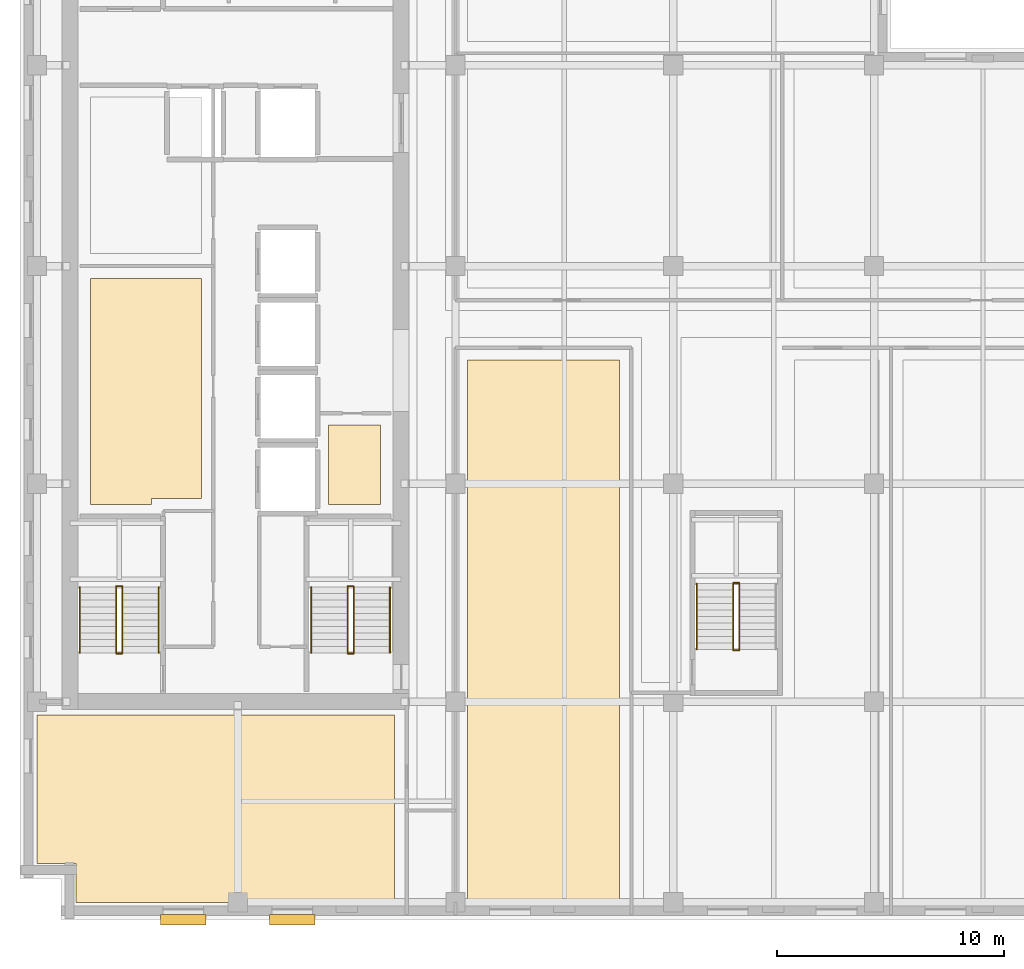
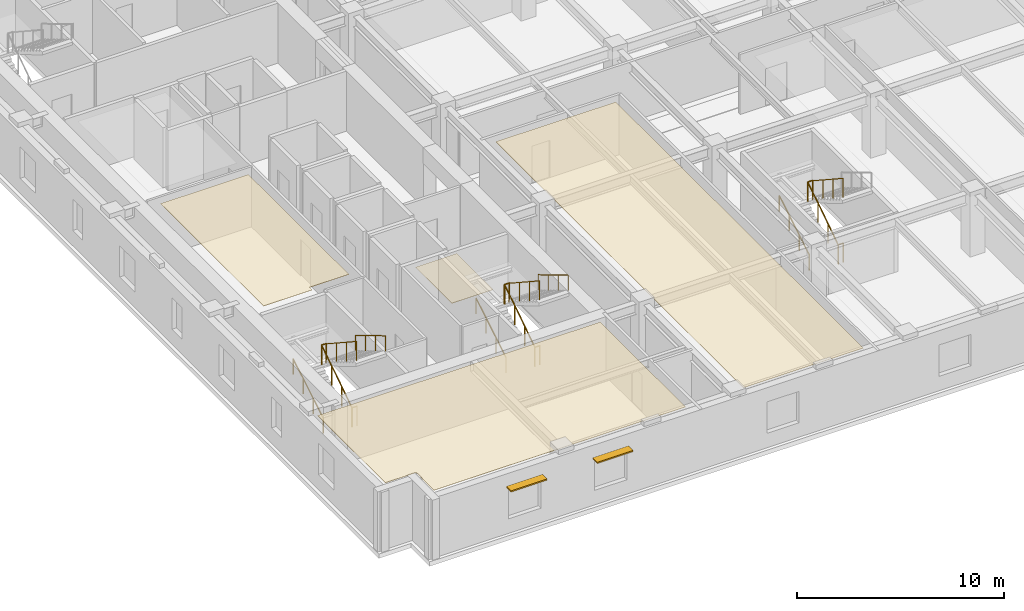
# One storey, part 10 of 14: 17 railings, 4 coverings, 2 shading devices.
"""IFC4 building model written with IfcOpenShell, lengths in metres."""

from ifc_helpers import new_model, si_unit, direction, frame, origin, origin_2d, place, context, subcontext, project, spatial, polyline, rectangle, circle, outline, extrude, material, layer, layer_set, type_object, element, save


model = new_model("IFC4")

# Units and contexts
model_context = context("Model", 3, precision=1e-05, world=origin(), true_north=direction((0.0, 1.0)))
body_context = subcontext(model_context, "Body", "Model", "MODEL_VIEW")
ifc_project = project(units=[si_unit("LENGTHUNIT", "METRE"), si_unit("AREAUNIT", "SQUARE_METRE"), si_unit("VOLUMEUNIT", "CUBIC_METRE"), si_unit("PLANEANGLEUNIT", "RADIAN"), si_unit("MASSUNIT", "GRAM", prefix="KILO")], contexts=[model_context])

# Site, building, storey
site_placement = place(None, origin())
site = spatial("IfcSite", under=ifc_project, at=site_placement, CompositionType="ELEMENT")
building_placement = place(site_placement, origin())
building = spatial("IfcBuilding", under=site, at=building_placement, Name="Norrvale University Quadrangle", CompositionType="ELEMENT")
storey_placement = place(building_placement, frame((0.0, 0.0, 214.199951171875)))
storey = spatial("IfcBuildingStorey", under=building, at=storey_placement, Name="L54", CompositionType="ELEMENT", Elevation=214.199951171875)

# Coverings
ifc_material_1 = material(Name="Perforated Acoustic Mineral Ceiling")
ifc_layer_1 = layer(ifc_material_1, 0.02490234375, Name="Perforated Acoustic Mineral Ceiling")
ifc_layer_set_1 = layer_set([ifc_layer_1], Name="Perforated Acoustic Mineral Ceiling")
covering_type_1 = type_object("IfcCoveringType", Name="Covering Acoustic Ceiling 25", PredefinedType="CEILING", material=ifc_layer_set_1)
covering_1_placement = place(storey_placement, frame((0.0, 0.0, 3.51513671875)))
element("IfcCovering", 1, at=covering_1_placement, inside=storey, type_object=covering_type_1, Name="Acoustic Ceiling RM-L54-REC2", PredefinedType="CEILING", context=body_context, shape_type="SweptSolid", body=[
    extrude(outline(polyline([(3.10009765625, 18.300048828125), (3.10009765625, 28.25), (8.0, 28.25), (8.0, 18.550048828125), (5.800048828125, 18.550048828125), (5.800048828125, 18.300048828125), (3.10009765625, 18.300048828125)])), origin(), (0.0, 0.0, 1.0), 0.02490234375),
])
covering_2_placement = place(storey_placement, frame((0.0, 0.0, 3.51513671875)))
element("IfcCovering", 2, at=covering_2_placement, inside=storey, type_object=covering_type_1, Name="Acoustic Ceiling RM-L54-SW1", PredefinedType="CEILING", context=body_context, shape_type="SweptSolid", body=[
    extrude(outline(polyline([(0.75, 9.0), (16.5, 9.0), (16.5, 0.75), (2.469970703125, 0.75), (2.469970703125, 2.469970703125), (0.75, 2.469970703125), (0.75, 9.0)])), origin(), (0.0, 0.0, 1.0), 0.02490234375),
])
covering_3_placement = place(storey_placement, frame((0.0, 0.0, 3.51513671875)))
element("IfcCovering", 3, at=covering_3_placement, inside=storey, type_object=covering_type_1, Name="Acoustic Ceiling RM-L54-SE1", PredefinedType="CEILING", context=body_context, shape_type="SweptSolid", body=[
    extrude(outline(polyline([(19.72998046875, 24.669921875), (26.419921875, 24.669921875), (26.419921875, 0.75), (19.72998046875, 0.75), (19.72998046875, 24.669921875)])), origin(), (0.0, 0.0, 1.0), 0.02490234375),
])
ifc_material_2 = material(Name="Polished Terrazzo Flooring")
ifc_layer_2 = layer(ifc_material_2, 0.02490234375, Name="Polished Terrazzo Flooring")
ifc_layer_set_2 = layer_set([ifc_layer_2], Name="Polished Terrazzo Flooring")
covering_type_2 = type_object("IfcCoveringType", Name="Covering Terrazzo Floor 30", PredefinedType="FLOORING", material=ifc_layer_set_2)
covering_4_placement = place(storey_placement, origin())
element("IfcCovering", 4, at=covering_4_placement, inside=storey, type_object=covering_type_2, Name="Terrazzo Flooring RM-L54-JAN", PredefinedType="FLOORING", context=body_context, shape_type="SweptSolid", body=[
    extrude(outline(polyline([(13.60009765625, 18.300048828125), (13.60009765625, 21.800048828125), (15.89990234375, 21.800048828125), (15.89990234375, 18.300048828125), (13.60009765625, 18.300048828125)])), origin(), (0.0, 0.0, 1.0), 0.025146484375),
])

# Railings
ifc_material_3 = material(Name="Steel 350W Painted Balustrade", Category="steel")
railing_type_1 = type_object("IfcRailingType", Name="Railing Stair Guard 1100", PredefinedType="GUARDRAIL", material=ifc_material_3)
for number, where, name in (
    (5, (4.239990234375, 11.719970703125, 0.0), "Stair Floor Well Guard ST-01 L54"),
    (6, (4.239990234375, 14.679931640625, 1.900146484375), "Stair Mid-Landing Slot Guard ST-01 L54"),
):
    element("IfcRailing", number, at=place(storey_placement, frame(where)), inside=storey, type_object=railing_type_1, Name=name, PredefinedType="GUARDRAIL", context=body_context, shape_type="SweptSolid", body=[
        extrude(circle(Radius=0.02392578125, at=origin_2d()), frame((0.0, 0.0, 1.1259765625), z_axis=(1.0, 0.0, 0.0), x_axis=(0.0, 1.0, 0.0)), (0.0, 0.0, 1.0), 0.27001953125),
        extrude(circle(Radius=0.02099609375, at=origin_2d()), origin(), (0.0, 0.0, 1.0), 1.101806640625),
        extrude(circle(Radius=0.02099609375, at=origin_2d()), frame((0.27001953125, 0.0, 0.0)), (0.0, 0.0, 1.0), 1.101806640625),
    ])
railing_1_placement = place(storey_placement, frame((4.239990234375, 11.75, 0.0)))
element("IfcRailing", 7, at=railing_1_placement, inside=storey, type_object=railing_type_1, Name="Stair Lower Flight Inner Guard ST-01 L54", PredefinedType="GUARDRAIL", context=body_context, shape_type="SweptSolid", body=[
    extrude(circle(Radius=0.02392578125, at=origin_2d()), frame((0.0, 0.0, 1.1259765625), z_axis=(0.0, 0.836433300813, 0.548068730445), x_axis=(-1.0, 0.0, 0.0)), (0.0, 0.0, 1.0), 3.467041015625),
    extrude(circle(Radius=0.02099609375, at=origin_2d()), origin(), (0.0, 0.0, 1.0), 1.101806640625),
    extrude(circle(Radius=0.02099609375, at=origin_2d()), frame((0.0, 0.966552734375, 0.63330078125)), (0.0, 0.0, 1.0), 1.101806640625),
    extrude(circle(Radius=0.02099609375, at=origin_2d()), frame((0.0, 1.933349609375, 1.266845703125)), (0.0, 0.0, 1.0), 1.101806640625),
    extrude(circle(Radius=0.02099609375, at=origin_2d()), frame((0.0, 2.89990234375, 1.900146484375)), (0.0, 0.0, 1.0), 1.101806640625),
])
railing_2_placement = place(storey_placement, frame((4.510009765625, 14.64990234375, 1.900146484375)))
element("IfcRailing", 8, at=railing_2_placement, inside=storey, type_object=railing_type_1, Name="Stair Upper Flight Inner Guard ST-01 L54", PredefinedType="GUARDRAIL", context=body_context, shape_type="SweptSolid", body=[
    extrude(circle(Radius=0.02392578125, at=origin_2d()), frame((0.0, 0.0, 1.1259765625), z_axis=(0.0, -0.836465582154, 0.548019461216), x_axis=(1.0, 0.0, 0.0)), (0.0, 0.0, 1.0), 3.466796875),
    extrude(circle(Radius=0.02099609375, at=origin_2d()), origin(), (0.0, 0.0, 1.0), 1.101806640625),
    extrude(circle(Radius=0.02099609375, at=origin_2d()), frame((0.0, -0.966552734375, 0.63330078125)), (0.0, 0.0, 1.0), 1.101806640625),
    extrude(circle(Radius=0.02099609375, at=origin_2d()), frame((0.0, -1.933349609375, 1.2666015625)), (0.0, 0.0, 1.0), 1.101806640625),
    extrude(circle(Radius=0.02099609375, at=origin_2d()), frame((0.0, -2.89990234375, 1.89990234375)), (0.0, 0.0, 1.0), 1.101806640625),
])
for number, where, name in (
    (9, (14.43994140625, 11.719970703125, 0.0), "Stair Floor Well Guard ST-03 L54"),
    (10, (14.43994140625, 14.679931640625, 1.900146484375), "Stair Mid-Landing Slot Guard ST-03 L54"),
):
    element("IfcRailing", number, at=place(storey_placement, frame(where)), inside=storey, type_object=railing_type_1, Name=name, PredefinedType="GUARDRAIL", context=body_context, shape_type="SweptSolid", body=[
        extrude(circle(Radius=0.02392578125, at=origin_2d()), frame((0.0, 0.0, 1.1259765625), z_axis=(1.0, 0.0, 0.0), x_axis=(0.0, 1.0, 0.0)), (0.0, 0.0, 1.0), 0.27001953125),
        extrude(circle(Radius=0.02099609375, at=origin_2d()), origin(), (0.0, 0.0, 1.0), 1.101806640625),
        extrude(circle(Radius=0.02099609375, at=origin_2d()), frame((0.27001953125, 0.0, 0.0)), (0.0, 0.0, 1.0), 1.101806640625),
    ])
railing_3_placement = place(storey_placement, frame((14.43994140625, 11.75, 0.0)))
element("IfcRailing", 11, at=railing_3_placement, inside=storey, type_object=railing_type_1, Name="Stair Lower Flight Inner Guard ST-03 L54", PredefinedType="GUARDRAIL", context=body_context, shape_type="SweptSolid", body=[
    extrude(circle(Radius=0.02392578125, at=origin_2d()), frame((0.0, 0.0, 1.1259765625), z_axis=(0.0, 0.836433300813, 0.548068730445), x_axis=(-1.0, 0.0, 0.0)), (0.0, 0.0, 1.0), 3.467041015625),
    extrude(circle(Radius=0.02099609375, at=origin_2d()), origin(), (0.0, 0.0, 1.0), 1.101806640625),
    extrude(circle(Radius=0.02099609375, at=origin_2d()), frame((0.0, 0.966552734375, 0.63330078125)), (0.0, 0.0, 1.0), 1.101806640625),
    extrude(circle(Radius=0.02099609375, at=origin_2d()), frame((0.0, 1.933349609375, 1.266845703125)), (0.0, 0.0, 1.0), 1.101806640625),
    extrude(circle(Radius=0.02099609375, at=origin_2d()), frame((0.0, 2.89990234375, 1.900146484375)), (0.0, 0.0, 1.0), 1.101806640625),
])
railing_4_placement = place(storey_placement, frame((14.7099609375, 14.64990234375, 1.900146484375)))
element("IfcRailing", 12, at=railing_4_placement, inside=storey, type_object=railing_type_1, Name="Stair Upper Flight Inner Guard ST-03 L54", PredefinedType="GUARDRAIL", context=body_context, shape_type="SweptSolid", body=[
    extrude(circle(Radius=0.02392578125, at=origin_2d()), frame((0.0, 0.0, 1.1259765625), z_axis=(0.0, -0.836465582154, 0.548019461216), x_axis=(1.0, 0.0, 0.0)), (0.0, 0.0, 1.0), 3.466796875),
    extrude(circle(Radius=0.02099609375, at=origin_2d()), origin(), (0.0, 0.0, 1.0), 1.101806640625),
    extrude(circle(Radius=0.02099609375, at=origin_2d()), frame((0.0, -0.966552734375, 0.63330078125)), (0.0, 0.0, 1.0), 1.101806640625),
    extrude(circle(Radius=0.02099609375, at=origin_2d()), frame((0.0, -1.933349609375, 1.2666015625)), (0.0, 0.0, 1.0), 1.101806640625),
    extrude(circle(Radius=0.02099609375, at=origin_2d()), frame((0.0, -2.89990234375, 1.89990234375)), (0.0, 0.0, 1.0), 1.101806640625),
])
for number, where, name in (
    (13, (31.43994140625, 11.8701171875, 0.0), "Stair Floor Well Guard ST-04 L54"),
    (14, (31.43994140625, 14.830078125, 1.900146484375), "Stair Mid-Landing Slot Guard ST-04 L54"),
):
    element("IfcRailing", number, at=place(storey_placement, frame(where)), inside=storey, type_object=railing_type_1, Name=name, PredefinedType="GUARDRAIL", context=body_context, shape_type="SweptSolid", body=[
        extrude(circle(Radius=0.02392578125, at=origin_2d()), frame((0.0, 0.0, 1.1259765625), z_axis=(1.0, 0.0, 0.0), x_axis=(0.0, 1.0, 0.0)), (0.0, 0.0, 1.0), 0.27001953125),
        extrude(circle(Radius=0.02099609375, at=origin_2d()), origin(), (0.0, 0.0, 1.0), 1.101806640625),
        extrude(circle(Radius=0.02099609375, at=origin_2d()), frame((0.27001953125, 0.0, 0.0)), (0.0, 0.0, 1.0), 1.101806640625),
    ])
railing_5_placement = place(storey_placement, frame((31.43994140625, 11.89990234375, 0.0)))
element("IfcRailing", 15, at=railing_5_placement, inside=storey, type_object=railing_type_1, Name="Stair Lower Flight Inner Guard ST-04 L54", PredefinedType="GUARDRAIL", context=body_context, shape_type="SweptSolid", body=[
    extrude(circle(Radius=0.02392578125, at=origin_2d()), frame((0.0, 0.0, 1.1259765625), z_axis=(0.0, 0.836454451266, 0.548036450392), x_axis=(-1.0, 0.0, 0.0)), (0.0, 0.0, 1.0), 3.46728515625),
    extrude(circle(Radius=0.02099609375, at=origin_2d()), origin(), (0.0, 0.0, 1.0), 1.101806640625),
    extrude(circle(Radius=0.02099609375, at=origin_2d()), frame((0.0, 0.966796875, 0.63330078125)), (0.0, 0.0, 1.0), 1.101806640625),
    extrude(circle(Radius=0.02099609375, at=origin_2d()), frame((0.0, 1.933349609375, 1.266845703125)), (0.0, 0.0, 1.0), 1.101806640625),
    extrude(circle(Radius=0.02099609375, at=origin_2d()), frame((0.0, 2.900146484375, 1.900146484375)), (0.0, 0.0, 1.0), 1.101806640625),
])
railing_6_placement = place(storey_placement, frame((31.7099609375, 14.800048828125, 1.900146484375)))
element("IfcRailing", 16, at=railing_6_placement, inside=storey, type_object=railing_type_1, Name="Stair Upper Flight Inner Guard ST-04 L54", PredefinedType="GUARDRAIL", context=body_context, shape_type="SweptSolid", body=[
    extrude(circle(Radius=0.02392578125, at=origin_2d()), frame((0.0, 0.0, 1.1259765625), z_axis=(0.0, -0.836486729621, 0.547987181573), x_axis=(1.0, 0.0, 0.0)), (0.0, 0.0, 1.0), 3.467041015625),
    extrude(circle(Radius=0.02099609375, at=origin_2d()), origin(), (0.0, 0.0, 1.0), 1.101806640625),
    extrude(circle(Radius=0.02099609375, at=origin_2d()), frame((0.0, -0.966796875, 0.63330078125)), (0.0, 0.0, 1.0), 1.101806640625),
    extrude(circle(Radius=0.02099609375, at=origin_2d()), frame((0.0, -1.933349609375, 1.2666015625)), (0.0, 0.0, 1.0), 1.101806640625),
    extrude(circle(Radius=0.02099609375, at=origin_2d()), frame((0.0, -2.900146484375, 1.89990234375)), (0.0, 0.0, 1.0), 1.101806640625),
])
ifc_material_4 = material(Name="Stainless Steel 316L Handrail", Category="steel")
railing_type_2 = type_object("IfcRailingType", Name="Railing Stair Handrail 920", PredefinedType="HANDRAIL", material=ifc_material_4)
railing_7_placement = place(storey_placement, frame((2.639892578125, 11.75, 0.1728515625)))
element("IfcRailing", 17, at=railing_7_placement, inside=storey, type_object=railing_type_2, Name="Stair Lower Flight Handrail ST-01 L54", PredefinedType="HANDRAIL", context=body_context, shape_type="SweptSolid", body=[
    extrude(circle(Radius=0.02392578125, at=origin_2d()), frame((0.0, 0.0, 0.89599609375), z_axis=(0.0, 0.859141464434, 0.511738159696), x_axis=(-1.0, 0.0, 0.0)), (0.0, 0.0, 1.0), 3.375244140625),
    extrude(circle(Radius=0.02099609375, at=origin_2d()), origin(), (0.0, 0.0, 1.0), 0.871826171875),
    extrude(circle(Radius=0.02099609375, at=origin_2d()), frame((0.0, 0.966552734375, 0.57568359375)), (0.0, 0.0, 1.0), 0.871826171875),
    extrude(circle(Radius=0.02099609375, at=origin_2d()), frame((0.0, 1.933349609375, 1.151611328125)), (0.0, 0.0, 1.0), 0.871826171875),
    extrude(circle(Radius=0.02099609375, at=origin_2d()), frame((0.0, 2.89990234375, 1.727294921875)), (0.0, 0.0, 1.0), 0.871826171875),
])
railing_8_placement = place(storey_placement, frame((6.110107421875, 14.64990234375, 2.07275390625)))
element("IfcRailing", 18, at=railing_8_placement, inside=storey, type_object=railing_type_2, Name="Stair Upper Flight Handrail ST-01 L54", PredefinedType="HANDRAIL", context=body_context, shape_type="SweptSolid", body=[
    extrude(circle(Radius=0.02392578125, at=origin_2d()), frame((0.0, 0.0, 0.89599609375), z_axis=(0.0, -0.859141464434, 0.511738159696), x_axis=(1.0, 0.0, 0.0)), (0.0, 0.0, 1.0), 3.375244140625),
    extrude(circle(Radius=0.02099609375, at=origin_2d()), origin(), (0.0, 0.0, 1.0), 0.871826171875),
    extrude(circle(Radius=0.02099609375, at=origin_2d()), frame((0.0, -0.966552734375, 0.57568359375)), (0.0, 0.0, 1.0), 0.871826171875),
    extrude(circle(Radius=0.02099609375, at=origin_2d()), frame((0.0, -1.933349609375, 1.151611328125)), (0.0, 0.0, 1.0), 0.871826171875),
    extrude(circle(Radius=0.02099609375, at=origin_2d()), frame((0.0, -2.89990234375, 1.727294921875)), (0.0, 0.0, 1.0), 0.871826171875),
])
railing_9_placement = place(storey_placement, frame((12.840087890625, 11.75, 0.1728515625)))
element("IfcRailing", 19, at=railing_9_placement, inside=storey, type_object=railing_type_2, Name="Stair Lower Flight Handrail ST-03 L54", PredefinedType="HANDRAIL", context=body_context, shape_type="SweptSolid", body=[
    extrude(circle(Radius=0.02392578125, at=origin_2d()), frame((0.0, 0.0, 0.89599609375), z_axis=(0.0, 0.859141464434, 0.511738159696), x_axis=(-1.0, 0.0, 0.0)), (0.0, 0.0, 1.0), 3.375244140625),
    extrude(circle(Radius=0.02099609375, at=origin_2d()), origin(), (0.0, 0.0, 1.0), 0.871826171875),
    extrude(circle(Radius=0.02099609375, at=origin_2d()), frame((0.0, 0.966552734375, 0.57568359375)), (0.0, 0.0, 1.0), 0.871826171875),
    extrude(circle(Radius=0.02099609375, at=origin_2d()), frame((0.0, 1.933349609375, 1.151611328125)), (0.0, 0.0, 1.0), 0.871826171875),
    extrude(circle(Radius=0.02099609375, at=origin_2d()), frame((0.0, 2.89990234375, 1.727294921875)), (0.0, 0.0, 1.0), 0.871826171875),
])
railing_10_placement = place(storey_placement, frame((16.31005859375, 14.64990234375, 2.07275390625)))
element("IfcRailing", 20, at=railing_10_placement, inside=storey, type_object=railing_type_2, Name="Stair Upper Flight Handrail ST-03 L54", PredefinedType="HANDRAIL", context=body_context, shape_type="SweptSolid", body=[
    extrude(circle(Radius=0.02392578125, at=origin_2d()), frame((0.0, 0.0, 0.89599609375), z_axis=(0.0, -0.859141464434, 0.511738159696), x_axis=(1.0, 0.0, 0.0)), (0.0, 0.0, 1.0), 3.375244140625),
    extrude(circle(Radius=0.02099609375, at=origin_2d()), origin(), (0.0, 0.0, 1.0), 0.871826171875),
    extrude(circle(Radius=0.02099609375, at=origin_2d()), frame((0.0, -0.966552734375, 0.57568359375)), (0.0, 0.0, 1.0), 0.871826171875),
    extrude(circle(Radius=0.02099609375, at=origin_2d()), frame((0.0, -1.933349609375, 1.151611328125)), (0.0, 0.0, 1.0), 0.871826171875),
    extrude(circle(Radius=0.02099609375, at=origin_2d()), frame((0.0, -2.89990234375, 1.727294921875)), (0.0, 0.0, 1.0), 0.871826171875),
])
railing_11_placement = place(storey_placement, frame((29.840087890625, 11.89990234375, 0.1728515625)))
element("IfcRailing", 21, at=railing_11_placement, inside=storey, type_object=railing_type_2, Name="Stair Lower Flight Handrail ST-04 L54", PredefinedType="HANDRAIL", context=body_context, shape_type="SweptSolid", body=[
    extrude(circle(Radius=0.02392578125, at=origin_2d()), frame((0.0, 0.0, 0.89599609375), z_axis=(0.0, 0.859160404282, 0.51170636083), x_axis=(-1.0, 0.0, 0.0)), (0.0, 0.0, 1.0), 3.37548828125),
    extrude(circle(Radius=0.02099609375, at=origin_2d()), origin(), (0.0, 0.0, 1.0), 0.871826171875),
    extrude(circle(Radius=0.02099609375, at=origin_2d()), frame((0.0, 0.966796875, 0.57568359375)), (0.0, 0.0, 1.0), 0.871826171875),
    extrude(circle(Radius=0.02099609375, at=origin_2d()), frame((0.0, 1.933349609375, 1.151611328125)), (0.0, 0.0, 1.0), 0.871826171875),
    extrude(circle(Radius=0.02099609375, at=origin_2d()), frame((0.0, 2.900146484375, 1.727294921875)), (0.0, 0.0, 1.0), 0.871826171875),
])

# Shading devices
ifc_material_5 = material(Name="Anodized Aluminium 6063-T6", Category="aluminium")
ifc_layer_3 = layer(ifc_material_5, 0.080078125, Name="Anodized Aluminium 6063-T6")
ifc_layer_set_3 = layer_set([ifc_layer_3], Name="Anodized Aluminium 6063-T6")
shading_device_type = type_object("IfcShadingDeviceType", Name="Shade South Sunshade 450", PredefinedType="USERDEFINED", material=ifc_layer_set_3)
for number, where, z_axis, x_axis, name in (
    (22, (7.199951171875, -0.02001953125, 2.719970703125), (0.0, 0.0, 1.0), (1.0, 0.0, 0.0), "South Solar Brise-Soleil 35"),
    (23, (12.0, -0.02001953125, 2.719970703125), (0.0, 0.0, 1.0), (1.0, 0.0, 0.0), "South Solar Brise-Soleil 36"),
):
    element("IfcShadingDevice", number, at=place(storey_placement, frame(where, z_axis=z_axis, x_axis=x_axis)), inside=storey, type_object=shading_device_type, Name=name, ObjectType="SUNSHADE", PredefinedType="USERDEFINED", context=body_context, shape_type="SweptSolid", body=[
        extrude(rectangle(XDim=2.0, YDim=0.449951171875, at=origin_2d()), origin(), (0.0, 0.0, 1.0), 0.080078125),
    ])

save(model, "model.ifc")
